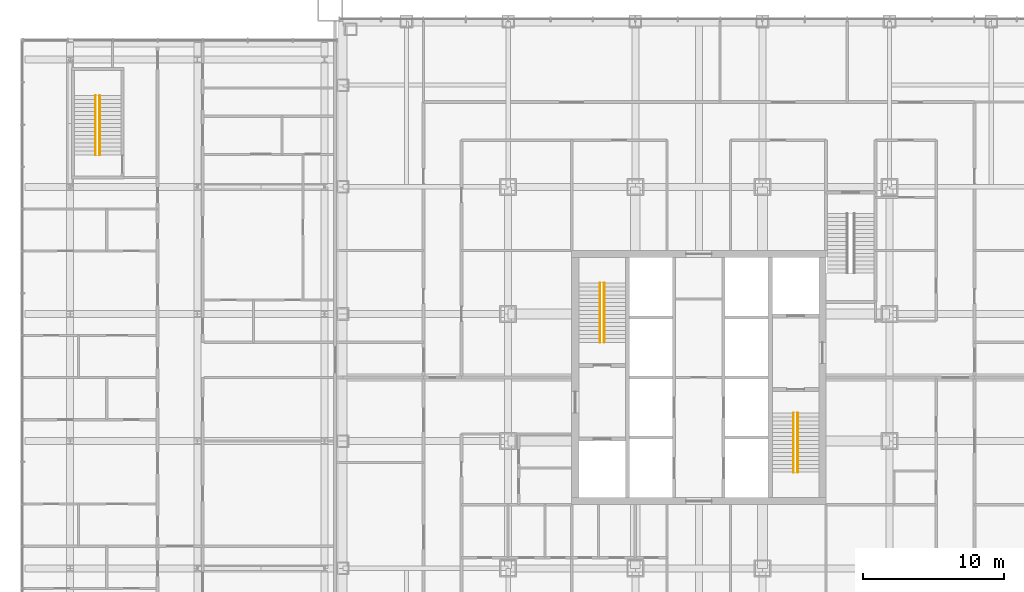
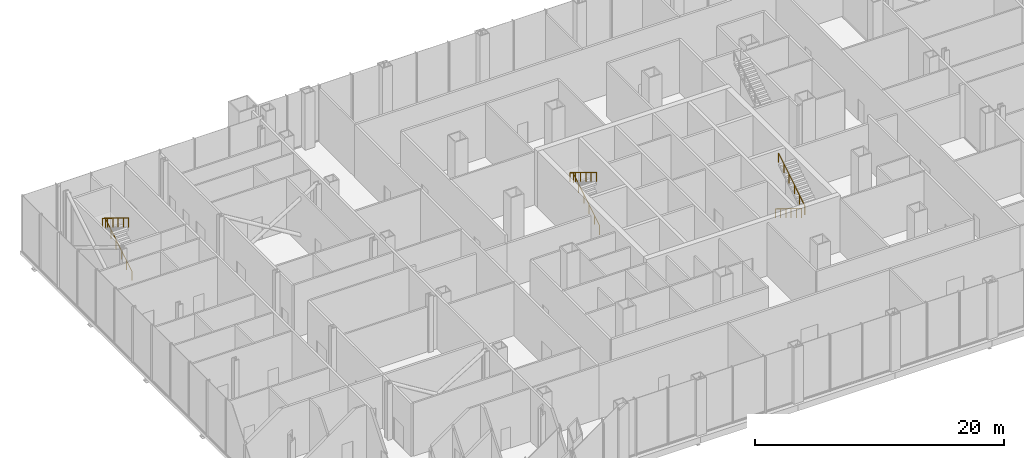
# One storey, part 21 of 25: 6 railings.
"""IFC4 building model written with IfcOpenShell, lengths in metres."""

from ifc_helpers import new_model, si_unit, direction, frame, origin, origin_2d, place, context, subcontext, project, spatial, circle, extrude, material, type_object, element, save


model = new_model("IFC4")

# Units and contexts
model_context = context("Model", 3, precision=1e-05, world=origin(), true_north=direction((0.0, 1.0)))
body_context = subcontext(model_context, "Body", "Model", "MODEL_VIEW")
ifc_project = project(units=[si_unit("LENGTHUNIT", "METRE"), si_unit("AREAUNIT", "SQUARE_METRE"), si_unit("VOLUMEUNIT", "CUBIC_METRE"), si_unit("PLANEANGLEUNIT", "RADIAN"), si_unit("MASSUNIT", "GRAM", prefix="KILO")], contexts=[model_context])

# Site, building, storey
site_placement = place(None, origin())
site = spatial("IfcSite", under=ifc_project, at=site_placement, CompositionType="ELEMENT")
building_placement = place(site_placement, origin())
building = spatial("IfcBuilding", under=site, at=building_placement, Name="Malebo Sky Hospital", CompositionType="ELEMENT")
storey_placement = place(building_placement, frame((0.0, 0.0, 11.0)))
storey = spatial("IfcBuildingStorey", under=building, at=storey_placement, Name="L02", CompositionType="ELEMENT", Elevation=11.0)

# Railings
ifc_material = material(Name="Stainless steel tube", Category="steel")
railing_type = type_object("IfcRailingType", Name="STAIR HANDRAIL 900", PredefinedType="HANDRAIL", material=ifc_material)
railing_1_placement = place(storey_placement, frame((53.300048828125, 64.5, 0.171875)))
element("IfcRailing", 1, at=railing_1_placement, inside=storey, type_object=railing_type, Name="Stair handrail S1 flight 1", PredefinedType="HANDRAIL", context=body_context, shape_type="SweptSolid", body=[
    extrude(circle(Radius=0.02392578125, at=origin_2d()), frame((0.0, 0.0, 0.8759765625), z_axis=(0.0, 0.852242915053, 0.523146264196), x_axis=(-1.0, 0.0, 0.0)), (0.0, 0.0, 1.0), 4.92822265625),
    extrude(circle(Radius=0.02099609375, at=origin_2d()), origin(), (0.0, 0.0, 1.0), 0.851806640625),
    extrude(circle(Radius=0.02099609375, at=origin_2d()), frame((0.0, 0.840087890625, 0.515625)), (0.0, 0.0, 1.0), 0.851806640625),
    extrude(circle(Radius=0.02099609375, at=origin_2d()), frame((0.0, 1.679931640625, 1.03125)), (0.0, 0.0, 1.0), 0.851806640625),
    extrude(circle(Radius=0.02099609375, at=origin_2d()), frame((0.0, 2.52001953125, 1.546875)), (0.0, 0.0, 1.0), 0.851806640625),
    extrude(circle(Radius=0.02099609375, at=origin_2d()), frame((0.0, 3.35986328125, 2.0625)), (0.0, 0.0, 1.0), 0.851806640625),
    extrude(circle(Radius=0.02099609375, at=origin_2d()), frame((0.0, 4.199951171875, 2.578125)), (0.0, 0.0, 1.0), 0.851806640625),
])
for number, where, name in (
    (2, (53.0, 68.699951171875, 2.921875), "Stair handrail S1 flight 2"),
    (3, (66.699951171875, 59.5, 0.171875), "Stair handrail S2 flight 1"),
):
    element("IfcRailing", number, at=place(storey_placement, frame(where)), inside=storey, type_object=railing_type, Name=name, PredefinedType="HANDRAIL", context=body_context, shape_type="SweptSolid", body=[
        extrude(circle(Radius=0.02392578125, at=origin_2d()), frame((0.0, 0.0, 0.8759765625), z_axis=(0.0, -0.852242915053, 0.523146264196), x_axis=(1.0, 0.0, 0.0)), (0.0, 0.0, 1.0), 4.92822265625),
        extrude(circle(Radius=0.02099609375, at=origin_2d()), origin(), (0.0, 0.0, 1.0), 0.851806640625),
        extrude(circle(Radius=0.02099609375, at=origin_2d()), frame((0.0, -0.840087890625, 0.515625)), (0.0, 0.0, 1.0), 0.851806640625),
        extrude(circle(Radius=0.02099609375, at=origin_2d()), frame((0.0, -1.679931640625, 1.03125)), (0.0, 0.0, 1.0), 0.851806640625),
        extrude(circle(Radius=0.02099609375, at=origin_2d()), frame((0.0, -2.52001953125, 1.546875)), (0.0, 0.0, 1.0), 0.851806640625),
        extrude(circle(Radius=0.02099609375, at=origin_2d()), frame((0.0, -3.35986328125, 2.0625)), (0.0, 0.0, 1.0), 0.851806640625),
        extrude(circle(Radius=0.02099609375, at=origin_2d()), frame((0.0, -4.199951171875, 2.578125)), (0.0, 0.0, 1.0), 0.851806640625),
    ])
for number, where, name in (
    (4, (67.0, 55.300048828125, 2.921875), "Stair handrail S2 flight 2"),
    (5, (17.60009765625, 77.75, 0.171875), "Stair handrail WS flight 1"),
):
    element("IfcRailing", number, at=place(storey_placement, frame(where)), inside=storey, type_object=railing_type, Name=name, PredefinedType="HANDRAIL", context=body_context, shape_type="SweptSolid", body=[
        extrude(circle(Radius=0.02392578125, at=origin_2d()), frame((0.0, 0.0, 0.8759765625), z_axis=(0.0, 0.852242915053, 0.523146264196), x_axis=(-1.0, 0.0, 0.0)), (0.0, 0.0, 1.0), 4.92822265625),
        extrude(circle(Radius=0.02099609375, at=origin_2d()), origin(), (0.0, 0.0, 1.0), 0.851806640625),
        extrude(circle(Radius=0.02099609375, at=origin_2d()), frame((0.0, 0.840087890625, 0.515625)), (0.0, 0.0, 1.0), 0.851806640625),
        extrude(circle(Radius=0.02099609375, at=origin_2d()), frame((0.0, 1.679931640625, 1.03125)), (0.0, 0.0, 1.0), 0.851806640625),
        extrude(circle(Radius=0.02099609375, at=origin_2d()), frame((0.0, 2.52001953125, 1.546875)), (0.0, 0.0, 1.0), 0.851806640625),
        extrude(circle(Radius=0.02099609375, at=origin_2d()), frame((0.0, 3.35986328125, 2.0625)), (0.0, 0.0, 1.0), 0.851806640625),
        extrude(circle(Radius=0.02099609375, at=origin_2d()), frame((0.0, 4.199951171875, 2.578125)), (0.0, 0.0, 1.0), 0.851806640625),
    ])
railing_2_placement = place(storey_placement, frame((17.300048828125, 81.949951171875, 2.921875)))
element("IfcRailing", 6, at=railing_2_placement, inside=storey, type_object=railing_type, Name="Stair handrail WS flight 2", PredefinedType="HANDRAIL", context=body_context, shape_type="SweptSolid", body=[
    extrude(circle(Radius=0.02392578125, at=origin_2d()), frame((0.0, 0.0, 0.8759765625), z_axis=(0.0, -0.852242915053, 0.523146264196), x_axis=(1.0, 0.0, 0.0)), (0.0, 0.0, 1.0), 4.92822265625),
    extrude(circle(Radius=0.02099609375, at=origin_2d()), origin(), (0.0, 0.0, 1.0), 0.851806640625),
    extrude(circle(Radius=0.02099609375, at=origin_2d()), frame((0.0, -0.840087890625, 0.515625)), (0.0, 0.0, 1.0), 0.851806640625),
    extrude(circle(Radius=0.02099609375, at=origin_2d()), frame((0.0, -1.679931640625, 1.03125)), (0.0, 0.0, 1.0), 0.851806640625),
    extrude(circle(Radius=0.02099609375, at=origin_2d()), frame((0.0, -2.52001953125, 1.546875)), (0.0, 0.0, 1.0), 0.851806640625),
    extrude(circle(Radius=0.02099609375, at=origin_2d()), frame((0.0, -3.35986328125, 2.0625)), (0.0, 0.0, 1.0), 0.851806640625),
    extrude(circle(Radius=0.02099609375, at=origin_2d()), frame((0.0, -4.199951171875, 2.578125)), (0.0, 0.0, 1.0), 0.851806640625),
])

save(model, "model.ifc")
